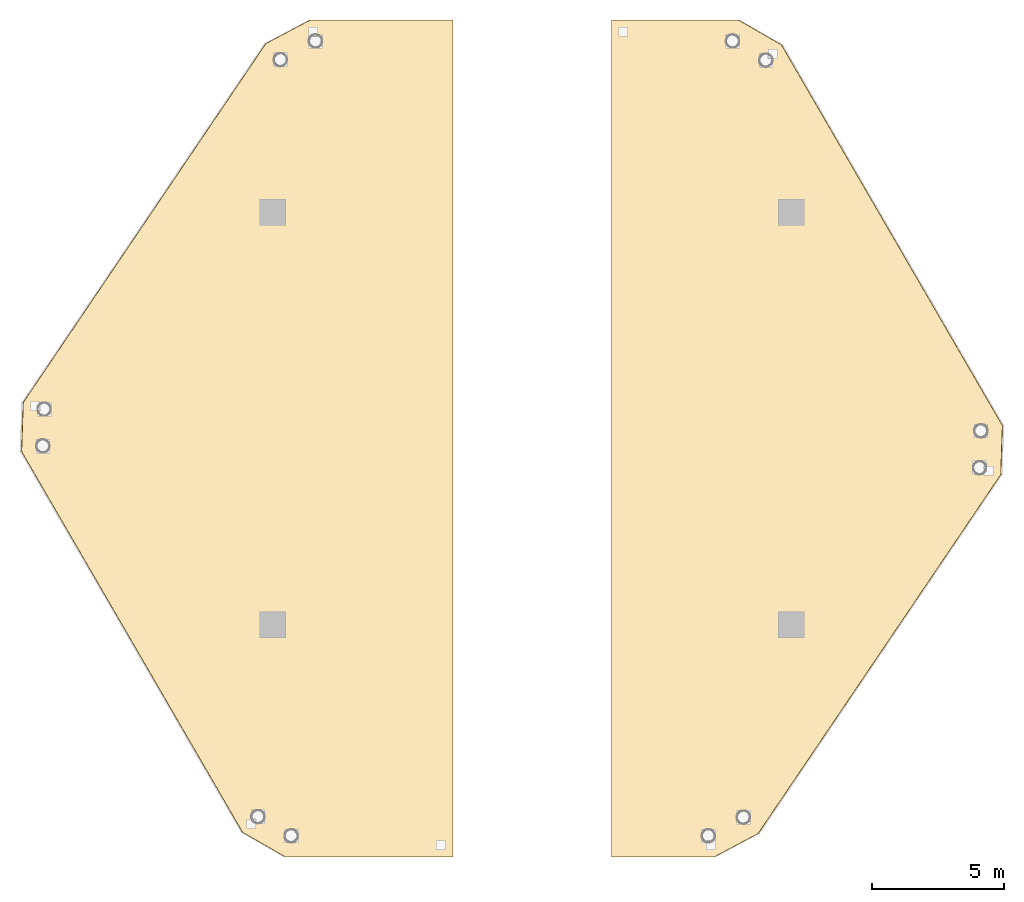
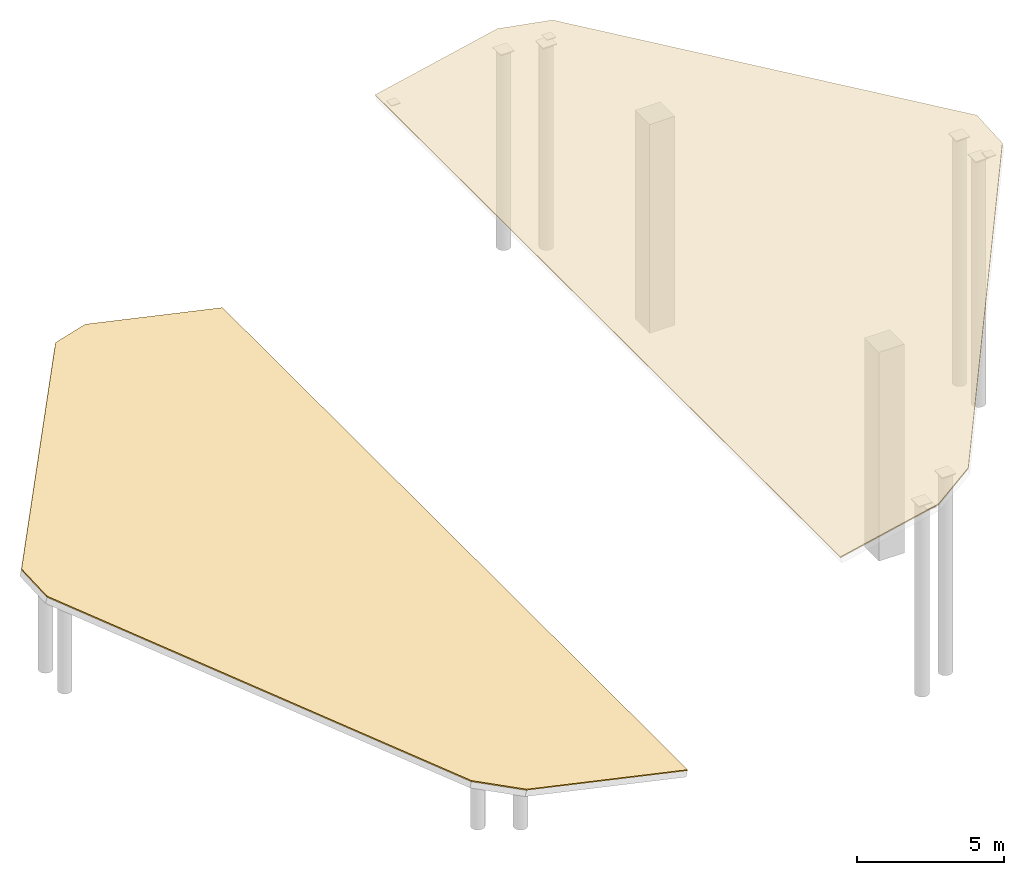
# One storey, part 3 of 3: 2 coverings.
"""IFC4 building model written with IfcOpenShell, lengths in metres."""

from ifc_helpers import new_model, si_unit, direction, frame, origin, place, context, subcontext, project, spatial, polyline, outline, extrude, material, layer, layer_set, type_object, element, save


model = new_model("IFC4")

# Units and contexts
model_context = context("Model", 3, precision=1e-05, world=origin(), true_north=direction((0.0, 1.0)))
body_context = subcontext(model_context, "Body", "Model", "MODEL_VIEW")
ifc_project = project(units=[si_unit("LENGTHUNIT", "METRE"), si_unit("AREAUNIT", "SQUARE_METRE"), si_unit("VOLUMEUNIT", "CUBIC_METRE"), si_unit("PLANEANGLEUNIT", "RADIAN"), si_unit("MASSUNIT", "GRAM", prefix="KILO")], contexts=[model_context])

# Site, building, storey
site_placement = place(None, origin())
site = spatial("IfcSite", under=ifc_project, at=site_placement, CompositionType="ELEMENT")
building_placement = place(site_placement, origin())
building = spatial("IfcBuilding", under=site, at=building_placement, Name="Durnholm Broadcast Tower", CompositionType="ELEMENT")
storey_placement = place(building_placement, frame((0.0, 0.0, 292.0)))
storey = spatial("IfcBuildingStorey", under=building, at=storey_placement, Name="RF", CompositionType="ELEMENT", Elevation=292.0)

# Coverings
ifc_material = material(Name="Modified Bitumen Acoustic Roofing Membrane", Category="concrete")
ifc_layer = layer(ifc_material, 0.044921875)
ifc_layer_set = layer_set([ifc_layer], Name="Modified Bitumen Acoustic Roofing Membrane")
covering_type = type_object("IfcCoveringType", Name="COV-ROOF-MEM", PredefinedType="ROOFING", material=ifc_layer_set)
covering_1_placement = place(storey_placement, frame((3.0, 15.06201171875, 7.1337890625), z_axis=(-0.216447961773, 3.296527e-06, 0.976294156406), x_axis=(-7.13526e-07, -0.999999999995, 3.21838e-06)))
element("IfcCovering", 1, at=covering_1_placement, inside=storey, type_object=covering_type, Name="RF east split-crown roofing membrane", PredefinedType="ROOFING", context=body_context, shape_type="SweptSolid", body=[
    extrude(outline(polyline([(0.0, 0.0), (31.647949218578038, 3.3508569626640305e-21), (31.647949218565003, 3.95683639814637), (30.75634765634023, 5.676577134315678), (17.18920898439453, 15.071398969240379), (15.33569335889941, 15.136382859496287), (0.9377441406874173, 6.578062084345478), (-1.18522507584774e-10, 4.910091244811633), (0.0, 0.0)])), origin(), (0.0, 0.0, -1.0), 0.044921875),
])
covering_2_placement = place(storey_placement, frame((-3.0, -16.5859375, 0.39599609375), z_axis=(0.216440234489, 2.824016e-06, 0.976295869543), x_axis=(-6.11231e-07, 0.999999999996, -2.757075e-06)))
element("IfcCovering", 2, at=covering_2_placement, inside=storey, type_object=covering_type, Name="RF west split-crown roofing membrane", PredefinedType="ROOFING", context=body_context, shape_type="SweptSolid", body=[
    extrude(outline(polyline([(0.0, 0.0), (31.647949218623804, 0.0), (31.64794921842688, 5.517771969890781), (30.756347656333485, 7.237459863502915), (17.189208984426315, 16.6322816984801), (15.335449218716139, 16.69755678528481), (0.9377441402967452, 8.138997655814387), (-1.2786371009669637e-10, 6.471026816779455), (0.0, 0.0)])), origin(), (0.0, 0.0, -1.0), 0.044921875),
])

save(model, "model.ifc")
